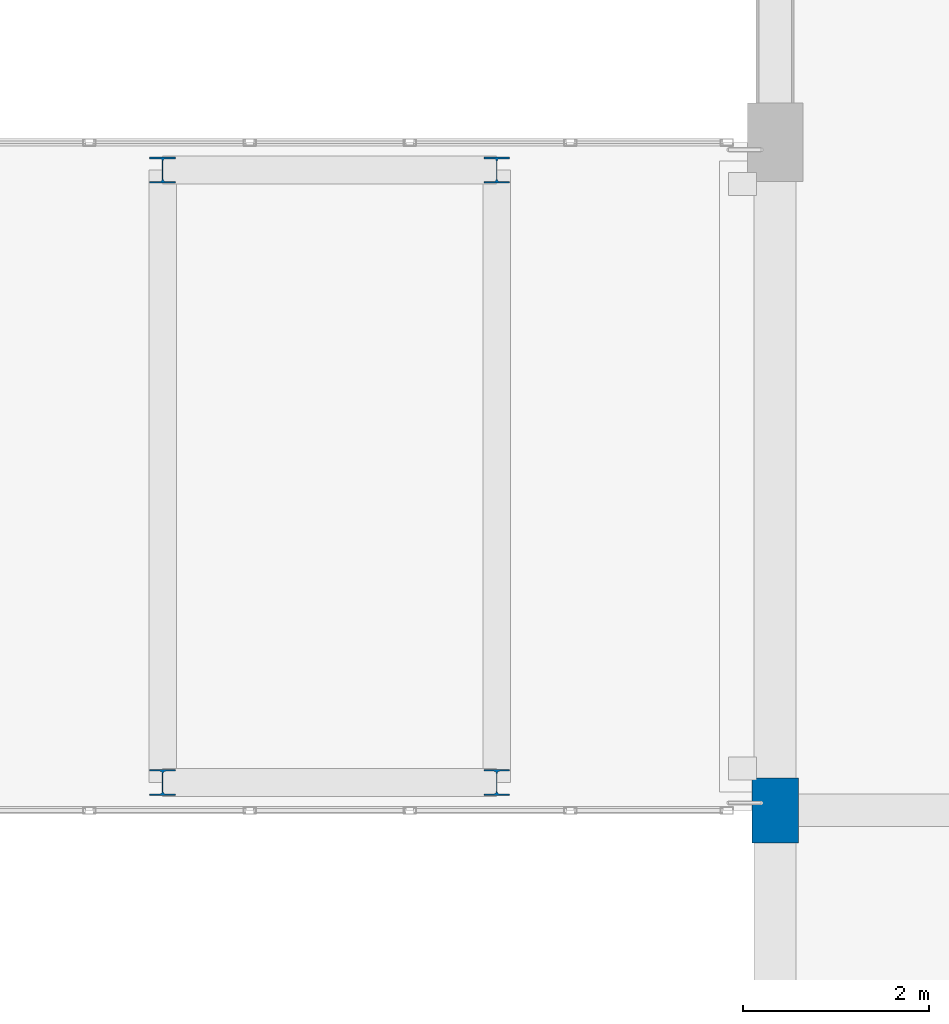
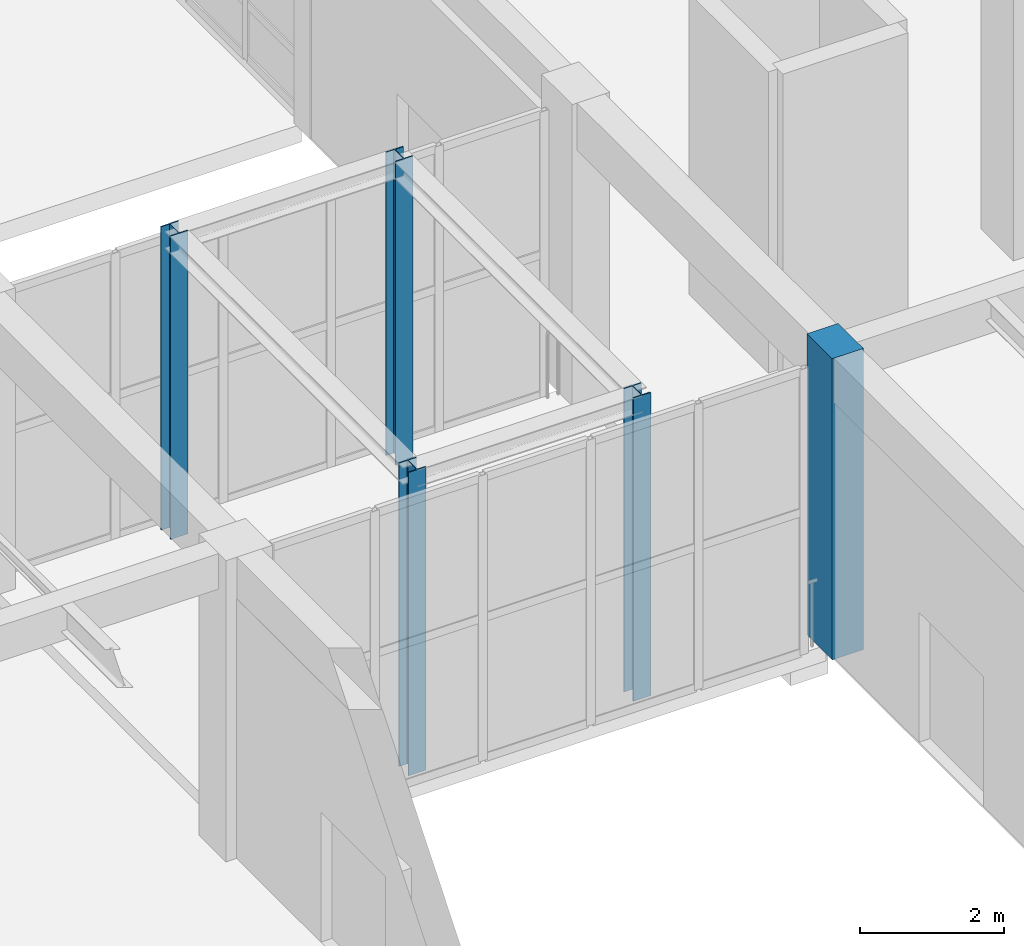
# One storey, part 5 of 169: 5 columns.
"""IFC4 building model written with IfcOpenShell, lengths in metres."""

from ifc_helpers import new_model, si_unit, direction, frame, origin, origin_2d, place, context, subcontext, project, spatial, rectangle, i_section, extrude, material, material_profile, profile_set, type_object, element, save


model = new_model("IFC4")

# Units and contexts
model_context = context("Model", 3, precision=1e-05, world=origin(), true_north=direction((0.0, 1.0)))
body_context = subcontext(model_context, "Body", "Model", "MODEL_VIEW")
ifc_project = project(units=[si_unit("LENGTHUNIT", "METRE"), si_unit("AREAUNIT", "SQUARE_METRE"), si_unit("VOLUMEUNIT", "CUBIC_METRE"), si_unit("PLANEANGLEUNIT", "RADIAN"), si_unit("MASSUNIT", "GRAM", prefix="KILO")], contexts=[model_context])

# Site, building, storey
site_placement = place(None, origin())
site = spatial("IfcSite", under=ifc_project, at=site_placement, CompositionType="ELEMENT")
building_placement = place(site_placement, origin())
building = spatial("IfcBuilding", under=site, at=building_placement, Name="Mazaris Harbour Polytechnic", CompositionType="ELEMENT")
storey_placement = place(building_placement, origin())
storey = spatial("IfcBuildingStorey", under=building, at=storey_placement, Name="L00", CompositionType="ELEMENT", Elevation=0.0)

# Columns
ifc_material_1 = material(Name="Concrete C40/50", Category="concrete")
ifc_material_profile_1 = material_profile(ifc_material_1, rectangle(XDim=0.5, YDim=0.699951171875, at=origin_2d()), Name="RECT500x700")
ifc_profile_set_1 = profile_set([ifc_material_profile_1], Name="Concrete C40/50")
column_type_1 = type_object("IfcColumnType", Name="RC Column 500x700 Exterior", PredefinedType="COLUMN", material=ifc_profile_set_1)
column_placement = place(storey_placement, frame((122.39990234375, 21.60009765625, 0.0), z_axis=(0.0, 0.0, 1.0), x_axis=(1.0, 0.0, 0.0)))
element("IfcColumn", 1, at=column_placement, inside=storey, type_object=column_type_1, Name="V2 L00 Column 227", PredefinedType="COLUMN", context=body_context, shape_type="SweptSolid", body=[
    extrude(rectangle(XDim=0.5, YDim=0.699951171875, at=origin_2d()), origin(), (0.0, 0.0, 1.0), 5.10009765625),
])
ifc_material_2 = material(Name="Steel S355", Category="steel")
ifc_material_profile_2 = material_profile(ifc_material_2, i_section(OverallWidth=0.280029296875, OverallDepth=0.280029296875, WebThickness=0.010498046875, FlangeThickness=0.01806640625, FilletRadius=0.02392578125, at=origin_2d()), Name="HEB 280")
ifc_profile_set_2 = profile_set([ifc_material_profile_2], Name="Steel S355")
column_type_2 = type_object("IfcColumnType", Name="Steel Column HEB280 Exterior", PredefinedType="COLUMN", material=ifc_profile_set_2)
for number, where, z_axis, x_axis, name in (
    (2, (115.800048828125, 21.89990234375, 0.0), (0.0, 0.0, 1.0), (1.0, 0.0, 0.0), "PB-E1 L00 Bridge Column 1548"),
    (3, (119.39990234375, 21.89990234375, 0.0), (0.0, 0.0, 1.0), (1.0, 0.0, 0.0), "PB-E1 L00 Bridge Column 1549"),
    (4, (115.800048828125, 28.5, 0.0), (0.0, 0.0, 1.0), (1.0, 0.0, 0.0), "PB-E1 L00 Bridge Column 1550"),
    (5, (119.39990234375, 28.5, 0.0), (0.0, 0.0, 1.0), (1.0, 0.0, 0.0), "PB-E1 L00 Bridge Column 1551"),
):
    element("IfcColumn", number, at=place(storey_placement, frame(where, z_axis=z_axis, x_axis=x_axis)), inside=storey, type_object=column_type_2, Name=name, PredefinedType="COLUMN", context=body_context, shape_type="SweptSolid", body=[
        extrude(i_section(OverallWidth=0.280029296875, OverallDepth=0.280029296875, WebThickness=0.010498046875, FlangeThickness=0.01806640625, FilletRadius=0.02392578125, at=origin_2d()), origin(), (0.0, 0.0, 1.0), 5.135009765625),
    ])

save(model, "model.ifc")
